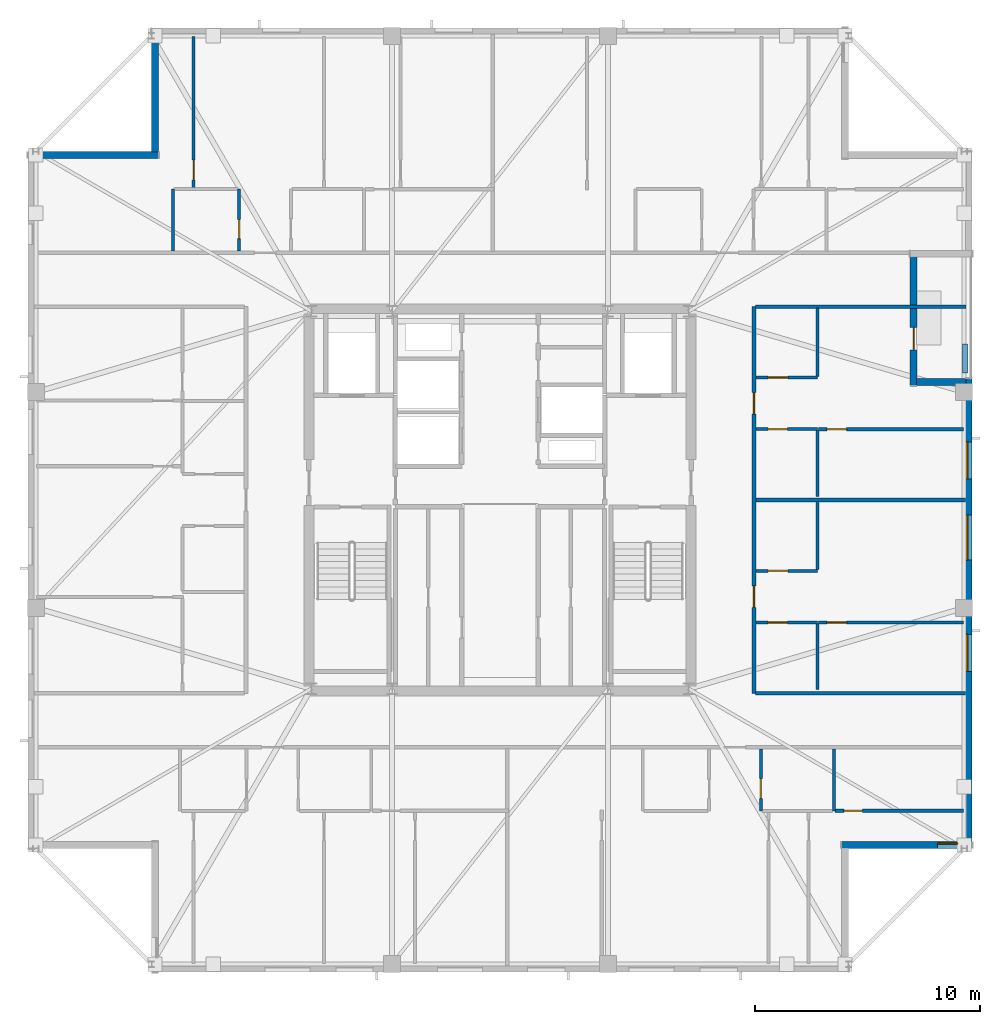
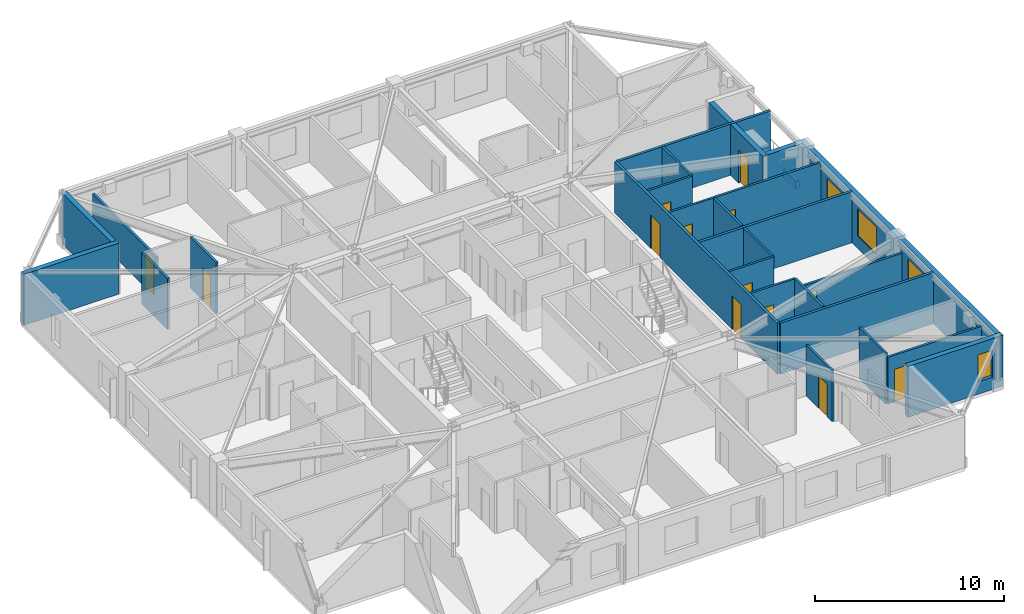
# One storey, part 10 of 16: 27 walls, 13 doors, 4 windows, 17 openings.
"""IFC4 building model written with IfcOpenShell, lengths in metres."""

from ifc_helpers import new_model, si_unit, direction, frame, frame_2d, origin, place, context, subcontext, project, spatial, rectangle, extrude, material, layer, layer_set, type_object, element, fill, save


model = new_model("IFC4")

# Units and contexts
model_context = context("Model", 3, precision=1e-05, world=origin(), true_north=direction((0.0, 1.0)))
body_context = subcontext(model_context, "Body", "Model", "MODEL_VIEW")
ifc_project = project(units=[si_unit("LENGTHUNIT", "METRE"), si_unit("AREAUNIT", "SQUARE_METRE"), si_unit("VOLUMEUNIT", "CUBIC_METRE"), si_unit("PLANEANGLEUNIT", "RADIAN"), si_unit("MASSUNIT", "GRAM", prefix="KILO")], contexts=[model_context])

# Site, building, storey
site_placement = place(None, origin())
site = spatial("IfcSite", under=ifc_project, at=site_placement, CompositionType="ELEMENT")
building_placement = place(site_placement, origin())
building = spatial("IfcBuilding", under=site, at=building_placement, Name="Cairnveth Concourse Tower", CompositionType="ELEMENT")
storey_placement = place(building_placement, frame((0.0, 0.0, 312.0)))
storey = spatial("IfcBuildingStorey", under=building, at=storey_placement, Name="L86", CompositionType="ELEMENT", Elevation=312.0)

# Wall, openings, doors
ifc_material_1 = material(Name="Gypsum Plasterboard Partition", Category="gypsum")
ifc_layer_1 = layer(ifc_material_1, 0.159912109375)
ifc_layer_set_1 = layer_set([ifc_layer_1], Name="Gypsum Plasterboard Partition")
wall_type_1 = type_object("IfcWallType", Name="ACOUSTIC PARTY WALL 180", PredefinedType="PARTITIONING", material=ifc_layer_set_1)
wall_1_placement = place(storey_placement, frame((63.300048828125, 30.39990234375, 0.0), z_axis=(0.0, 0.0, 1.0), x_axis=(0.0, 1.0, 0.0)))
wall_1 = element("IfcWall", 1, at=wall_1_placement, inside=storey, type_object=wall_type_1, Name="Interior Wall IW-L86-039", PredefinedType="PARTITIONING", context=body_context, shape_type="SweptSolid", body=[
    extrude(rectangle(XDim=17.2001953125, YDim=0.159912109375, at=frame_2d((8.60009765625, 0.0))), origin(), (0.0, 0.0, 1.0), 3.2900390625),
])
opening_1_placement = place(wall_1_placement, frame((3.820068359375, 0.0, 0.0)))
opening_1 = element("IfcOpeningElement", 2, at=opening_1_placement, cuts=wall_1, Name="Opening ID10", PredefinedType="OPENING", context=body_context, shape_type="SweptSolid", body=[
    extrude(rectangle(XDim=0.9599609375, YDim=2.179931640625, at=frame_2d((0.47998046875, 1.08984375))), frame((0.0, 0.08984375, 0.0), z_axis=(0.0, -1.0, 0.0), x_axis=(1.0, 0.0, 0.0)), (0.0, 0.0, 1.0), 0.179931640625),
])
opening_2_placement = place(wall_1_placement, frame((12.419921875, 0.0, 0.0)))
opening_2 = element("IfcOpeningElement", 3, at=opening_2_placement, cuts=wall_1, Name="Opening ID10", PredefinedType="OPENING", context=body_context, shape_type="SweptSolid", body=[
    extrude(rectangle(XDim=0.9599609375, YDim=2.179931640625, at=frame_2d((0.47998046875, 1.08984375))), frame((0.0, 0.08984375, 0.0), z_axis=(0.0, -1.0, 0.0), x_axis=(1.0, 0.0, 0.0)), (0.0, 0.0, 1.0), 0.179931640625),
])
ifc_material_2 = material(Name="Solid Core Hardwood Timber Leaf", Category="wood")
door_type_1 = type_object("IfcDoorType", Name="FLAT ENTRANCE DOOR 960X2150", OperationType="NOTDEFINED", PredefinedType="DOOR", material=ifc_material_2)
door_1_placement = place(opening_1_placement, origin())
door_1 = element("IfcDoor", 4, at=door_1_placement, inside=storey, type_object=door_type_1, Name="Penthouse L86PE1 Entrance Door", OperationType="SINGLE_SWING_LEFT", OverallHeight=2.179931640625, OverallWidth=0.9599609375, PredefinedType="DOOR", context=body_context, shape_type="SweptSolid", body=[
    extrude(rectangle(XDim=0.9599609375, YDim=2.179931640625, at=frame_2d((0.47998046875, 1.08984375))), frame((0.0, 0.02490234375, 0.0), z_axis=(0.0, -1.0, 0.0), x_axis=(1.0, 0.0, 0.0)), (0.0, 0.0, 1.0), 0.050048828125),
])
fill(opening_1, door_1)
door_2_placement = place(opening_2_placement, origin())
door_2 = element("IfcDoor", 5, at=door_2_placement, inside=storey, type_object=door_type_1, Name="Penthouse L86PE2 Entrance Door", OperationType="SINGLE_SWING_LEFT", OverallHeight=2.179931640625, OverallWidth=0.9599609375, PredefinedType="DOOR", context=body_context, shape_type="SweptSolid", body=[
    extrude(rectangle(XDim=0.9599609375, YDim=2.179931640625, at=frame_2d((0.47998046875, 1.08984375))), frame((0.0, 0.02490234375, 0.0), z_axis=(0.0, -1.0, 0.0), x_axis=(1.0, 0.0, 0.0)), (0.0, 0.0, 1.0), 0.050048828125),
])
fill(opening_2, door_2)

# Walls
wall_2_placement = place(storey_placement, frame((63.364990234375, 30.39990234375, 0.0), z_axis=(0.0, 0.0, 1.0), x_axis=(1.0, 0.0, 0.0)))
element("IfcWall", 6, at=wall_2_placement, inside=storey, type_object=wall_type_1, Name="Interior Wall IW-L86-042", PredefinedType="PARTITIONING", context=body_context, shape_type="SweptSolid", body=[
    extrude(rectangle(XDim=9.35009765625, YDim=0.159912109375, at=frame_2d((4.675048828125, 0.0))), origin(), (0.0, 0.0, 1.0), 3.2900390625),
])
wall_3_placement = place(storey_placement, frame((63.364990234375, 47.60009765625, 0.0), z_axis=(0.0, 0.0, 1.0), x_axis=(1.0, 0.0, 0.0)))
element("IfcWall", 7, at=wall_3_placement, inside=storey, type_object=wall_type_1, Name="Interior Wall IW-L86-043", PredefinedType="PARTITIONING", context=body_context, shape_type="SweptSolid", body=[
    extrude(rectangle(XDim=9.364990234375, YDim=0.159912109375, at=frame_2d((4.6826171875, 0.0))), origin(), (0.0, 0.0, 1.0), 3.2900390625),
])
wall_4_placement = place(storey_placement, frame((63.3798828125, 39.0, 0.0), z_axis=(0.0, 0.0, 1.0), x_axis=(1.0, 0.0, 0.0)))
element("IfcWall", 8, at=wall_4_placement, inside=storey, type_object=wall_type_1, Name="Interior Wall IW-L86-097", PredefinedType="PARTITIONING", context=body_context, shape_type="SweptSolid", body=[
    extrude(rectangle(XDim=9.335205078125, YDim=0.159912109375, at=frame_2d((4.66748046875, 0.0))), origin(), (0.0, 0.0, 1.0), 3.2900390625),
])

# Wall, opening, door
ifc_layer_2 = layer(ifc_material_1, 0.139892578125)
ifc_layer_set_2 = layer_set([ifc_layer_2], Name="Gypsum Plasterboard Partition")
wall_type_2 = type_object("IfcWallType", Name="GYPSUM STUD PARTITION 140", PredefinedType="PARTITIONING", material=ifc_layer_set_2)
wall_5_placement = place(storey_placement, frame((66.902587890625, 25.172607421875, 0.0), z_axis=(0.0, 0.0, 1.0), x_axis=(1.0, 0.0, 0.0)))
wall_5 = element("IfcWall", 9, at=wall_5_placement, inside=storey, type_object=wall_type_2, Name="Interior Wall IW-L86-063", PredefinedType="PARTITIONING", context=body_context, shape_type="SweptSolid", body=[
    extrude(rectangle(XDim=5.727294921875, YDim=0.139892578125, at=frame_2d((2.86376953125, 0.0))), origin(), (0.0, 0.0, 1.0), 3.009033203125),
])
opening_3_placement = place(wall_5_placement, frame((0.39990234375, 0.0, 0.0)))
opening_3 = element("IfcOpeningElement", 10, at=opening_3_placement, cuts=wall_5, Name="Opening ID22", PredefinedType="OPENING", context=body_context, shape_type="SweptSolid", body=[
    extrude(rectangle(XDim=0.820068359375, YDim=2.10009765625, at=frame_2d((0.41015625, 1.050048828125))), frame((0.0, 0.079833984375, 0.0), z_axis=(0.0, -1.0, 0.0), x_axis=(1.0, 0.0, 0.0)), (0.0, 0.0, 1.0), 0.159912109375),
])
door_type_2 = type_object("IfcDoorType", Name="INTERIOR WC DOOR 820X2100", OperationType="NOTDEFINED", PredefinedType="DOOR", material=ifc_material_2)
door_3_placement = place(opening_3_placement, origin())
door_3 = element("IfcDoor", 11, at=door_3_placement, inside=storey, type_object=door_type_2, Name="L86PS2 Utility Door", OperationType="SINGLE_SWING_RIGHT", OverallHeight=2.10009765625, OverallWidth=0.820068359375, PredefinedType="DOOR", context=body_context, shape_type="SweptSolid", body=[
    extrude(rectangle(XDim=0.820068359375, YDim=2.10009765625, at=frame_2d((0.41015625, 1.050048828125))), frame((0.0, 0.02490234375, 0.0), z_axis=(0.0, -1.0, 0.0), x_axis=(1.0, 0.0, 0.0)), (0.0, 0.0, 1.0), 0.050048828125),
])
fill(opening_3, door_3)

wall_6_placement = place(storey_placement, frame((38.3701171875, 52.87744140625, 0.0), z_axis=(0.0, 0.0, 1.0), x_axis=(0.0, 1.0, 0.0)))
wall_6 = element("IfcWall", 12, at=wall_6_placement, inside=storey, type_object=wall_type_2, Name="Interior Wall IW-L86-071", PredefinedType="PARTITIONING", context=body_context, shape_type="SweptSolid", body=[
    extrude(rectangle(XDim=6.74267578125, YDim=0.139892578125, at=frame_2d((3.371337890625, 0.0))), origin(), (0.0, 0.0, 1.0), 2.653076171875),
])
opening_4_placement = place(wall_6_placement, frame((0.360107421875, 0.0, 0.0)))
opening_4 = element("IfcOpeningElement", 13, at=opening_4_placement, cuts=wall_6, Name="Opening ID18", PredefinedType="OPENING", context=body_context, shape_type="SweptSolid", body=[
    extrude(rectangle(XDim=0.8798828125, YDim=2.10009765625, at=frame_2d((0.43994140625, 1.050048828125))), frame((0.0, 0.079833984375, 0.0), z_axis=(0.0, -1.0, 0.0), x_axis=(1.0, 0.0, 0.0)), (0.0, 0.0, 1.0), 0.159912109375),
])
door_type_3 = type_object("IfcDoorType", Name="INTERIOR SINGLE DOOR 880X2100", OperationType="NOTDEFINED", PredefinedType="DOOR", material=ifc_material_2)
door_4_placement = place(opening_4_placement, origin())
door_4 = element("IfcDoor", 14, at=door_4_placement, inside=storey, type_object=door_type_3, Name="L86PN1 Master Bedroom Door", OperationType="SINGLE_SWING_RIGHT", OverallHeight=2.10009765625, OverallWidth=0.8798828125, PredefinedType="DOOR", context=body_context, shape_type="SweptSolid", body=[
    extrude(rectangle(XDim=0.8798828125, YDim=2.10009765625, at=frame_2d((0.43994140625, 1.050048828125))), frame((0.0, 0.02490234375, 0.0), z_axis=(0.0, -1.0, 0.0), x_axis=(1.0, 0.0, 0.0)), (0.0, 0.0, 1.0), 0.050048828125),
])
fill(opening_4, door_4)

wall_7_placement = place(storey_placement, frame((66.179931640625, 33.550048828125, 0.0), z_axis=(0.0, 0.0, 1.0), x_axis=(1.0, 0.0, 0.0)))
wall_7 = element("IfcWall", 15, at=wall_7_placement, inside=storey, type_object=wall_type_2, Name="Interior Wall IW-L86-102", PredefinedType="PARTITIONING", context=body_context, shape_type="SweptSolid", body=[
    extrude(rectangle(XDim=6.440185546875, YDim=0.139892578125, at=frame_2d((3.22021484375, 0.0))), origin(), (0.0, 0.0, 1.0), 2.653076171875),
])
opening_5_placement = place(wall_7_placement, frame((0.360107421875, 0.0, 0.0)))
opening_5 = element("IfcOpeningElement", 16, at=opening_5_placement, cuts=wall_7, Name="Opening ID18", PredefinedType="OPENING", context=body_context, shape_type="SweptSolid", body=[
    extrude(rectangle(XDim=0.8798828125, YDim=2.10009765625, at=frame_2d((0.43994140625, 1.050048828125))), frame((0.0, 0.079833984375, 0.0), z_axis=(0.0, -1.0, 0.0), x_axis=(1.0, 0.0, 0.0)), (0.0, 0.0, 1.0), 0.159912109375),
])
door_5_placement = place(opening_5_placement, origin())
door_5 = element("IfcDoor", 17, at=door_5_placement, inside=storey, type_object=door_type_3, Name="L86PE1 Master Bedroom Door", OperationType="SINGLE_SWING_RIGHT", OverallHeight=2.10009765625, OverallWidth=0.8798828125, PredefinedType="DOOR", context=body_context, shape_type="SweptSolid", body=[
    extrude(rectangle(XDim=0.8798828125, YDim=2.10009765625, at=frame_2d((0.43994140625, 1.050048828125))), frame((0.0, 0.02490234375, 0.0), z_axis=(0.0, -1.0, 0.0), x_axis=(1.0, 0.0, 0.0)), (0.0, 0.0, 1.0), 0.050048828125),
])
fill(opening_5, door_5)

wall_8_placement = place(storey_placement, frame((66.179931640625, 42.14990234375, 0.0), z_axis=(0.0, 0.0, 1.0), x_axis=(1.0, 0.0, 0.0)))
wall_8 = element("IfcWall", 18, at=wall_8_placement, inside=storey, type_object=wall_type_2, Name="Interior Wall IW-L86-107", PredefinedType="PARTITIONING", context=body_context, shape_type="SweptSolid", body=[
    extrude(rectangle(XDim=6.440185546875, YDim=0.139892578125, at=frame_2d((3.22021484375, 0.0))), origin(), (0.0, 0.0, 1.0), 3.2900390625),
])
opening_6_placement = place(wall_8_placement, frame((0.360107421875, 0.0, 0.0)))
opening_6 = element("IfcOpeningElement", 19, at=opening_6_placement, cuts=wall_8, Name="Opening ID18", PredefinedType="OPENING", context=body_context, shape_type="SweptSolid", body=[
    extrude(rectangle(XDim=0.8798828125, YDim=2.10009765625, at=frame_2d((0.43994140625, 1.050048828125))), frame((0.0, 0.079833984375, 0.0), z_axis=(0.0, -1.0, 0.0), x_axis=(1.0, 0.0, 0.0)), (0.0, 0.0, 1.0), 0.159912109375),
])
door_6_placement = place(opening_6_placement, origin())
door_6 = element("IfcDoor", 20, at=door_6_placement, inside=storey, type_object=door_type_3, Name="L86PE2 Master Bedroom Door", OperationType="SINGLE_SWING_RIGHT", OverallHeight=2.10009765625, OverallWidth=0.8798828125, PredefinedType="DOOR", context=body_context, shape_type="SweptSolid", body=[
    extrude(rectangle(XDim=0.8798828125, YDim=2.10009765625, at=frame_2d((0.43994140625, 1.050048828125))), frame((0.0, 0.02490234375, 0.0), z_axis=(0.0, -1.0, 0.0), x_axis=(1.0, 0.0, 0.0)), (0.0, 0.0, 1.0), 0.050048828125),
])
fill(opening_6, door_6)

# Walls
ifc_material_3 = material(Name="Dressed Melbourne Bluestone Cladding", Category="masonry")
ifc_layer_3 = layer(ifc_material_3, 0.219970703125)
ifc_layer_set_3 = layer_set([ifc_layer_3], Name="Dressed Melbourne Bluestone Cladding")
wall_type_3 = type_object("IfcWallType", Name="TERRACE PLANTER CURB WALL 220", PredefinedType="PARAPET", material=ifc_layer_set_3)
wall_9_placement = place(storey_placement, frame((72.679931640625, 44.64990234375, 0.0), z_axis=(0.0, 0.0, 1.0), x_axis=(0.0, 1.0, 0.0)))
element("IfcWall", 21, at=wall_9_placement, inside=storey, type_object=wall_type_3, Name="Exterior Wall PLNT-L86-TERR", PredefinedType="PARAPET", context=body_context, shape_type="SweptSolid", body=[
    extrude(rectangle(XDim=1.300048828125, YDim=0.219970703125, at=frame_2d((0.64990234375, 0.0))), origin(), (0.0, 0.0, 1.0), 0.550048828125),
])
ifc_layer_4 = layer(ifc_material_1, 0.1298828125)
ifc_layer_set_4 = layer_set([ifc_layer_4], Name="Gypsum Plasterboard Partition")
wall_type_4 = type_object("IfcWallType", Name="WET AREA PARTITION 140", PredefinedType="PLUMBINGWALL", material=ifc_layer_set_4)
wall_10_placement = place(storey_placement, frame((66.8525390625, 25.172607421875, 0.0), z_axis=(0.0, 0.0, 1.0), x_axis=(0.0, 1.0, 0.0)))
element("IfcWall", 22, at=wall_10_placement, inside=storey, type_object=wall_type_4, Name="Interior Wall IW-L86-058", PredefinedType="PLUMBINGWALL", context=body_context, shape_type="SweptSolid", body=[
    extrude(rectangle(XDim=2.75, YDim=0.1298828125, at=frame_2d((1.375, 0.0))), origin(), (0.0, 0.0, 1.0), 3.2900390625),
])

# Wall, opening, door
wall_11_placement = place(storey_placement, frame((63.6025390625, 25.172607421875, 0.0), z_axis=(0.0, 0.0, 1.0), x_axis=(0.0, 1.0, 0.0)))
wall_11 = element("IfcWall", 23, at=wall_11_placement, inside=storey, type_object=wall_type_4, Name="Interior Wall IW-L86-059", PredefinedType="PLUMBINGWALL", context=body_context, shape_type="SweptSolid", body=[
    extrude(rectangle(XDim=2.75, YDim=0.1298828125, at=frame_2d((1.375, 0.0))), origin(), (0.0, 0.0, 1.0), 3.2900390625),
])
opening_7_placement = place(wall_11_placement, frame((0.550048828125, 0.0, 0.0)))
opening_7 = element("IfcOpeningElement", 24, at=opening_7_placement, cuts=wall_11, Name="Opening ID18", PredefinedType="OPENING", context=body_context, shape_type="SweptSolid", body=[
    extrude(rectangle(XDim=0.8798828125, YDim=2.10009765625, at=frame_2d((0.43994140625, 1.050048828125))), frame((0.0, 0.074951171875, 0.0), z_axis=(0.0, -1.0, 0.0), x_axis=(1.0, 0.0, 0.0)), (0.0, 0.0, 1.0), 0.14990234375),
])
door_7_placement = place(opening_7_placement, origin())
door_7 = element("IfcDoor", 25, at=door_7_placement, inside=storey, type_object=door_type_3, Name="L86PS2 Kitchen Door", OperationType="SINGLE_SWING_RIGHT", OverallHeight=2.10009765625, OverallWidth=0.8798828125, PredefinedType="DOOR", context=body_context, shape_type="SweptSolid", body=[
    extrude(rectangle(XDim=0.8798828125, YDim=2.10009765625, at=frame_2d((0.43994140625, 1.050048828125))), frame((0.0, 0.02490234375, 0.0), z_axis=(0.0, -1.0, 0.0), x_axis=(1.0, 0.0, 0.0)), (0.0, 0.0, 1.0), 0.050048828125),
])
fill(opening_7, door_7)

# Wall
wall_12_placement = place(storey_placement, frame((37.447509765625, 50.077392578125, 0.0), z_axis=(0.0, 0.0, 1.0), x_axis=(0.0, 1.0, 0.0)))
element("IfcWall", 26, at=wall_12_placement, inside=storey, type_object=wall_type_4, Name="Interior Wall IW-L86-065", PredefinedType="PLUMBINGWALL", context=body_context, shape_type="SweptSolid", body=[
    extrude(rectangle(XDim=2.75, YDim=0.1298828125, at=frame_2d((1.375, 0.0))), origin(), (0.0, 0.0, 1.0), 3.2900390625),
])

# Wall, opening, door
wall_13_placement = place(storey_placement, frame((40.3974609375, 50.077392578125, 0.0), z_axis=(0.0, 0.0, 1.0), x_axis=(0.0, 1.0, 0.0)))
wall_13 = element("IfcWall", 27, at=wall_13_placement, inside=storey, type_object=wall_type_4, Name="Interior Wall IW-L86-066", PredefinedType="PLUMBINGWALL", context=body_context, shape_type="SweptSolid", body=[
    extrude(rectangle(XDim=2.75, YDim=0.1298828125, at=frame_2d((1.375, 0.0))), origin(), (0.0, 0.0, 1.0), 3.2900390625),
])
opening_8_placement = place(wall_13_placement, frame((0.550048828125, 0.0, 0.0)))
opening_8 = element("IfcOpeningElement", 28, at=opening_8_placement, cuts=wall_13, Name="Opening ID21", PredefinedType="OPENING", context=body_context, shape_type="SweptSolid", body=[
    extrude(rectangle(XDim=0.85009765625, YDim=2.080078125, at=frame_2d((0.425048828125, 1.0400390625))), frame((0.0, 0.074951171875, 0.0), z_axis=(0.0, -1.0, 0.0), x_axis=(1.0, 0.0, 0.0)), (0.0, 0.0, 1.0), 0.14990234375),
])
door_type_4 = type_object("IfcDoorType", Name="INTERIOR WC DOOR 850X2100", OperationType="NOTDEFINED", PredefinedType="DOOR", material=ifc_material_2)
door_8_placement = place(opening_8_placement, origin())
door_8 = element("IfcDoor", 29, at=door_8_placement, inside=storey, type_object=door_type_4, Name="L86PN1 Bathroom Door", OperationType="SINGLE_SWING_RIGHT", OverallHeight=2.080078125, OverallWidth=0.85009765625, PredefinedType="DOOR", context=body_context, shape_type="SweptSolid", body=[
    extrude(rectangle(XDim=0.85009765625, YDim=2.080078125, at=frame_2d((0.425048828125, 1.0400390625))), frame((0.0, 0.02490234375, 0.0), z_axis=(0.0, -1.0, 0.0), x_axis=(1.0, 0.0, 0.0)), (0.0, 0.0, 1.0), 0.050048828125),
])
fill(opening_8, door_8)

wall_14_placement = place(storey_placement, frame((63.3798828125, 33.550048828125, 0.0), z_axis=(0.0, 0.0, 1.0), x_axis=(1.0, 0.0, 0.0)))
wall_14 = element("IfcWall", 30, at=wall_14_placement, inside=storey, type_object=wall_type_4, Name="Interior Wall IW-L86-098", PredefinedType="PLUMBINGWALL", context=body_context, shape_type="SweptSolid", body=[
    extrude(rectangle(XDim=2.75, YDim=0.1298828125, at=frame_2d((1.375, 0.0))), origin(), (0.0, 0.0, 1.0), 3.2900390625),
])
opening_9_placement = place(wall_14_placement, frame((0.550048828125, 0.0, 0.0)))
opening_9 = element("IfcOpeningElement", 31, at=opening_9_placement, cuts=wall_14, Name="Opening ID21", PredefinedType="OPENING", context=body_context, shape_type="SweptSolid", body=[
    extrude(rectangle(XDim=0.85009765625, YDim=2.080078125, at=frame_2d((0.425048828125, 1.0400390625))), frame((0.0, 0.074951171875, 0.0), z_axis=(0.0, -1.0, 0.0), x_axis=(1.0, 0.0, 0.0)), (0.0, 0.0, 1.0), 0.14990234375),
])
door_9_placement = place(opening_9_placement, origin())
door_9 = element("IfcDoor", 32, at=door_9_placement, inside=storey, type_object=door_type_4, Name="L86PE1 Bathroom Door", OperationType="SINGLE_SWING_RIGHT", OverallHeight=2.080078125, OverallWidth=0.85009765625, PredefinedType="DOOR", context=body_context, shape_type="SweptSolid", body=[
    extrude(rectangle(XDim=0.85009765625, YDim=2.080078125, at=frame_2d((0.425048828125, 1.0400390625))), frame((0.0, 0.02490234375, 0.0), z_axis=(0.0, -1.0, 0.0), x_axis=(1.0, 0.0, 0.0)), (0.0, 0.0, 1.0), 0.050048828125),
])
fill(opening_9, door_9)

# Wall
wall_15_placement = place(storey_placement, frame((66.1298828125, 30.56005859375, 0.0), z_axis=(0.0, 0.0, 1.0), x_axis=(0.0, 1.0, 0.0)))
element("IfcWall", 33, at=wall_15_placement, inside=storey, type_object=wall_type_4, Name="Interior Wall IW-L86-099", PredefinedType="PLUMBINGWALL", context=body_context, shape_type="SweptSolid", body=[
    extrude(rectangle(XDim=2.93994140625, YDim=0.1298828125, at=frame_2d((1.469970703125, 0.0))), origin(), (0.0, 0.0, 1.0), 3.2900390625),
])

# Wall, opening, door
wall_16_placement = place(storey_placement, frame((63.3798828125, 35.85009765625, 0.0), z_axis=(0.0, 0.0, 1.0), x_axis=(1.0, 0.0, 0.0)))
wall_16 = element("IfcWall", 34, at=wall_16_placement, inside=storey, type_object=wall_type_4, Name="Interior Wall IW-L86-100", PredefinedType="PLUMBINGWALL", context=body_context, shape_type="SweptSolid", body=[
    extrude(rectangle(XDim=2.75, YDim=0.1298828125, at=frame_2d((1.375, 0.0))), origin(), (0.0, 0.0, 1.0), 3.2900390625),
])
opening_10_placement = place(wall_16_placement, frame((0.550048828125, 0.0, 0.0)))
opening_10 = element("IfcOpeningElement", 35, at=opening_10_placement, cuts=wall_16, Name="Opening ID18", PredefinedType="OPENING", context=body_context, shape_type="SweptSolid", body=[
    extrude(rectangle(XDim=0.8798828125, YDim=2.10009765625, at=frame_2d((0.43994140625, 1.050048828125))), frame((0.0, 0.074951171875, 0.0), z_axis=(0.0, -1.0, 0.0), x_axis=(1.0, 0.0, 0.0)), (0.0, 0.0, 1.0), 0.14990234375),
])
door_10_placement = place(opening_10_placement, origin())
door_10 = element("IfcDoor", 36, at=door_10_placement, inside=storey, type_object=door_type_3, Name="L86PE1 Kitchen Door", OperationType="SINGLE_SWING_LEFT", OverallHeight=2.10009765625, OverallWidth=0.8798828125, PredefinedType="DOOR", context=body_context, shape_type="SweptSolid", body=[
    extrude(rectangle(XDim=0.8798828125, YDim=2.10009765625, at=frame_2d((0.43994140625, 1.050048828125))), frame((0.0, 0.02490234375, 0.0), z_axis=(0.0, -1.0, 0.0), x_axis=(1.0, 0.0, 0.0)), (0.0, 0.0, 1.0), 0.050048828125),
])
fill(opening_10, door_10)

# Wall
wall_17_placement = place(storey_placement, frame((66.1298828125, 35.89990234375, 0.0), z_axis=(0.0, 0.0, 1.0), x_axis=(0.0, 1.0, 0.0)))
element("IfcWall", 37, at=wall_17_placement, inside=storey, type_object=wall_type_4, Name="Interior Wall IW-L86-101", PredefinedType="PLUMBINGWALL", context=body_context, shape_type="SweptSolid", body=[
    extrude(rectangle(XDim=3.03515625, YDim=0.1298828125, at=frame_2d((1.517578125, 0.0))), origin(), (0.0, 0.0, 1.0), 3.2900390625),
])

# Wall, opening, door
wall_18_placement = place(storey_placement, frame((63.3798828125, 42.14990234375, 0.0), z_axis=(0.0, 0.0, 1.0), x_axis=(1.0, 0.0, 0.0)))
wall_18 = element("IfcWall", 38, at=wall_18_placement, inside=storey, type_object=wall_type_4, Name="Interior Wall IW-L86-103", PredefinedType="PLUMBINGWALL", context=body_context, shape_type="SweptSolid", body=[
    extrude(rectangle(XDim=2.75, YDim=0.1298828125, at=frame_2d((1.375, 0.0))), origin(), (0.0, 0.0, 1.0), 3.2900390625),
])
opening_11_placement = place(wall_18_placement, frame((0.550048828125, 0.0, 0.0)))
opening_11 = element("IfcOpeningElement", 39, at=opening_11_placement, cuts=wall_18, Name="Opening ID21", PredefinedType="OPENING", context=body_context, shape_type="SweptSolid", body=[
    extrude(rectangle(XDim=0.85009765625, YDim=2.080078125, at=frame_2d((0.425048828125, 1.0400390625))), frame((0.0, 0.074951171875, 0.0), z_axis=(0.0, -1.0, 0.0), x_axis=(1.0, 0.0, 0.0)), (0.0, 0.0, 1.0), 0.14990234375),
])
door_11_placement = place(opening_11_placement, origin())
door_11 = element("IfcDoor", 40, at=door_11_placement, inside=storey, type_object=door_type_4, Name="L86PE2 Bathroom Door", OperationType="SINGLE_SWING_RIGHT", OverallHeight=2.080078125, OverallWidth=0.85009765625, PredefinedType="DOOR", context=body_context, shape_type="SweptSolid", body=[
    extrude(rectangle(XDim=0.85009765625, YDim=2.080078125, at=frame_2d((0.425048828125, 1.0400390625))), frame((0.0, 0.02490234375, 0.0), z_axis=(0.0, -1.0, 0.0), x_axis=(1.0, 0.0, 0.0)), (0.0, 0.0, 1.0), 0.050048828125),
])
fill(opening_11, door_11)

# Wall
wall_19_placement = place(storey_placement, frame((66.1298828125, 39.159912109375, 0.0), z_axis=(0.0, 0.0, 1.0), x_axis=(0.0, 1.0, 0.0)))
element("IfcWall", 41, at=wall_19_placement, inside=storey, type_object=wall_type_4, Name="Interior Wall IW-L86-104", PredefinedType="PLUMBINGWALL", context=body_context, shape_type="SweptSolid", body=[
    extrude(rectangle(XDim=2.940185546875, YDim=0.1298828125, at=frame_2d((1.47021484375, 0.0))), origin(), (0.0, 0.0, 1.0), 3.2900390625),
])

# Wall, opening, door
wall_20_placement = place(storey_placement, frame((63.3798828125, 44.449951171875, 0.0), z_axis=(0.0, 0.0, 1.0), x_axis=(1.0, 0.0, 0.0)))
wall_20 = element("IfcWall", 42, at=wall_20_placement, inside=storey, type_object=wall_type_4, Name="Interior Wall IW-L86-105", PredefinedType="PLUMBINGWALL", context=body_context, shape_type="SweptSolid", body=[
    extrude(rectangle(XDim=2.75, YDim=0.1298828125, at=frame_2d((1.375, 0.0))), origin(), (0.0, 0.0, 1.0), 3.2900390625),
])
opening_12_placement = place(wall_20_placement, frame((0.550048828125, 0.0, 0.0)))
opening_12 = element("IfcOpeningElement", 43, at=opening_12_placement, cuts=wall_20, Name="Opening ID18", PredefinedType="OPENING", context=body_context, shape_type="SweptSolid", body=[
    extrude(rectangle(XDim=0.8798828125, YDim=2.10009765625, at=frame_2d((0.43994140625, 1.050048828125))), frame((0.0, 0.074951171875, 0.0), z_axis=(0.0, -1.0, 0.0), x_axis=(1.0, 0.0, 0.0)), (0.0, 0.0, 1.0), 0.14990234375),
])
door_12_placement = place(opening_12_placement, origin())
door_12 = element("IfcDoor", 44, at=door_12_placement, inside=storey, type_object=door_type_3, Name="L86PE2 Kitchen Door", OperationType="SINGLE_SWING_LEFT", OverallHeight=2.10009765625, OverallWidth=0.8798828125, PredefinedType="DOOR", context=body_context, shape_type="SweptSolid", body=[
    extrude(rectangle(XDim=0.8798828125, YDim=2.10009765625, at=frame_2d((0.43994140625, 1.050048828125))), frame((0.0, 0.02490234375, 0.0), z_axis=(0.0, -1.0, 0.0), x_axis=(1.0, 0.0, 0.0)), (0.0, 0.0, 1.0), 0.050048828125),
])
fill(opening_12, door_12)

# Wall
wall_21_placement = place(storey_placement, frame((66.1298828125, 44.5, 0.0), z_axis=(0.0, 0.0, 1.0), x_axis=(0.0, 1.0, 0.0)))
element("IfcWall", 45, at=wall_21_placement, inside=storey, type_object=wall_type_4, Name="Interior Wall IW-L86-106", PredefinedType="PLUMBINGWALL", context=body_context, shape_type="SweptSolid", body=[
    extrude(rectangle(XDim=3.034912109375, YDim=0.1298828125, at=frame_2d((1.517578125, 0.0))), origin(), (0.0, 0.0, 1.0), 3.2900390625),
])

# Wall, openings, windows
ifc_material_4 = material(Name="Hawthorn Red-Ochre Fired Clay Brick Masonry", Category="masonry")
ifc_layer_5 = layer(ifc_material_4, 0.300048828125)
ifc_layer_set_5 = layer_set([ifc_layer_5], Name="Hawthorn Red-Ochre Fired Clay Brick Masonry")
wall_type_5 = type_object("IfcWallType", Name="ZONE 4 BRICK PIER SPANDREL WALL 300", PredefinedType="SOLIDWALL", material=ifc_layer_set_5)
wall_22_placement = place(storey_placement, frame((72.85009765625, 44.39990234375, 0.0), z_axis=(0.0, 0.0, 1.0), x_axis=(0.0, -1.0, 0.0)))
wall_22 = element("IfcWall", 46, at=wall_22_placement, inside=storey, type_object=wall_type_5, Name="Exterior Wall EW-L86-S00", PredefinedType="SOLIDWALL", context=body_context, shape_type="SweptSolid", body=[
    extrude(rectangle(XDim=20.621826171875, YDim=0.300048828125, at=frame_2d((10.31103515625, 0.0))), origin(), (0.0, 0.0, 1.0), 3.2900390625),
])
opening_13_placement = place(wall_22_placement, frame((2.815185546875, 0.0, 0.800048828125)))
opening_13 = element("IfcOpeningElement", 47, at=opening_13_placement, cuts=wall_22, Name="Opening W04", PredefinedType="OPENING", context=body_context, shape_type="SweptSolid", body=[
    extrude(rectangle(XDim=1.64990234375, YDim=1.758056640625, at=frame_2d((0.824951171875, 0.87890625))), frame((0.0, 0.159912109375, 0.0), z_axis=(0.0, -1.0, 0.0), x_axis=(1.0, 0.0, 0.0)), (0.0, 0.0, 1.0), 0.320068359375),
])
opening_14_placement = place(wall_22_placement, frame((6.07080078125, 0.0, 0.800048828125)))
opening_14 = element("IfcOpeningElement", 48, at=opening_14_placement, cuts=wall_22, Name="Opening W09", PredefinedType="OPENING", context=body_context, shape_type="SweptSolid", body=[
    extrude(rectangle(XDim=2.0, YDim=1.758056640625, at=frame_2d((1.0, 0.87890625))), frame((0.0, 0.159912109375, 0.0), z_axis=(0.0, -1.0, 0.0), x_axis=(1.0, 0.0, 0.0)), (0.0, 0.0, 1.0), 0.320068359375),
])
opening_15_placement = place(wall_22_placement, frame((11.376220703125, 0.0, 0.800048828125)))
opening_15 = element("IfcOpeningElement", 49, at=opening_15_placement, cuts=wall_22, Name="Opening W04", PredefinedType="OPENING", context=body_context, shape_type="SweptSolid", body=[
    extrude(rectangle(XDim=1.64990234375, YDim=1.758056640625, at=frame_2d((0.824951171875, 0.87890625))), frame((0.0, 0.159912109375, 0.0), z_axis=(0.0, -1.0, 0.0), x_axis=(1.0, 0.0, 0.0)), (0.0, 0.0, 1.0), 0.320068359375),
])
ifc_material_5 = material(Name="Double Glazed Low-E Clear Glass", Category="glass")
window_type_1 = type_object("IfcWindowType", Name="DEEP-SET GOTHIC LANCET WINDOW 1650X1850", PartitioningType="DOUBLE_PANEL_VERTICAL", PredefinedType="WINDOW", material=ifc_material_5)
window_1_placement = place(opening_13_placement, origin())
window_1 = element("IfcWindow", 50, at=window_1_placement, inside=storey, type_object=window_type_1, Name="Gothic Lancet Window L86-0-1", OverallHeight=1.758056640625, OverallWidth=1.64990234375, PartitioningType="SINGLE_PANEL", PredefinedType="WINDOW", context=body_context, shape_type="SweptSolid", body=[
    extrude(rectangle(XDim=1.64990234375, YDim=1.758056640625, at=frame_2d((0.824951171875, 0.87890625))), frame((0.0, -0.050048828125, 0.0), z_axis=(0.0, -1.0, 0.0), x_axis=(1.0, 0.0, 0.0)), (0.0, 0.0, 1.0), 0.06005859375),
])
fill(opening_13, window_1)
window_2_placement = place(opening_15_placement, origin())
window_2 = element("IfcWindow", 51, at=window_2_placement, inside=storey, type_object=window_type_1, Name="Gothic Lancet Window L86-0-3", OverallHeight=1.758056640625, OverallWidth=1.64990234375, PartitioningType="SINGLE_PANEL", PredefinedType="WINDOW", context=body_context, shape_type="SweptSolid", body=[
    extrude(rectangle(XDim=1.64990234375, YDim=1.758056640625, at=frame_2d((0.824951171875, 0.87890625))), frame((0.0, -0.050048828125, 0.0), z_axis=(0.0, -1.0, 0.0), x_axis=(1.0, 0.0, 0.0)), (0.0, 0.0, 1.0), 0.06005859375),
])
fill(opening_15, window_2)
window_type_2 = type_object("IfcWindowType", Name="DEEP-SET PENTHOUSE LANCET WINDOW 2000X1850", PartitioningType="DOUBLE_PANEL_VERTICAL", PredefinedType="WINDOW", material=ifc_material_5)
window_3_placement = place(opening_14_placement, origin())
window_3 = element("IfcWindow", 52, at=window_3_placement, inside=storey, type_object=window_type_2, Name="Gothic Lancet Window L86-0-2", OverallHeight=1.758056640625, OverallWidth=2.0, PartitioningType="SINGLE_PANEL", PredefinedType="WINDOW", context=body_context, shape_type="SweptSolid", body=[
    extrude(rectangle(XDim=2.0, YDim=1.758056640625, at=frame_2d((1.0, 0.87890625))), frame((0.0, -0.050048828125, 0.0), z_axis=(0.0, -1.0, 0.0), x_axis=(1.0, 0.0, 0.0)), (0.0, 0.0, 1.0), 0.06005859375),
])
fill(opening_14, window_3)

# Wall, opening, window
wall_23_placement = place(storey_placement, frame((73.0, 23.64990234375, 0.0), z_axis=(0.0, 0.0, 1.0), x_axis=(-1.0, 0.0, 0.0)))
wall_23 = element("IfcWall", 53, at=wall_23_placement, inside=storey, type_object=wall_type_5, Name="Exterior Wall EW-L86-S01", PredefinedType="SOLIDWALL", context=body_context, shape_type="SweptSolid", body=[
    extrude(rectangle(XDim=5.800048828125, YDim=0.300048828125, at=frame_2d((2.89990234375, 0.0))), origin(), (0.0, 0.0, 1.0), 3.2900390625),
])
opening_16_placement = place(wall_23_placement, frame((0.6298828125, 0.0, 0.800048828125)))
opening_16 = element("IfcOpeningElement", 54, at=opening_16_placement, cuts=wall_23, Name="Opening W13", PredefinedType="OPENING", context=body_context, shape_type="SweptSolid", body=[
    extrude(rectangle(XDim=0.89990234375, YDim=1.75, at=frame_2d((0.449951171875, 0.875))), frame((0.0, 0.159912109375, 0.0), z_axis=(0.0, -1.0, 0.0), x_axis=(1.0, 0.0, 0.0)), (0.0, 0.0, 1.0), 0.320068359375),
])
window_type_3 = type_object("IfcWindowType", Name="DEEP-SET BEDROOM LANCET WINDOW 900X1750", PartitioningType="DOUBLE_PANEL_VERTICAL", PredefinedType="WINDOW", material=ifc_material_5)
window_4_placement = place(opening_16_placement, origin())
window_4 = element("IfcWindow", 55, at=window_4_placement, inside=storey, type_object=window_type_3, Name="Dwelling Lancet Window L86-DW2", OverallHeight=1.75, OverallWidth=0.89990234375, PartitioningType="SINGLE_PANEL", PredefinedType="WINDOW", context=body_context, shape_type="SweptSolid", body=[
    extrude(rectangle(XDim=0.89990234375, YDim=1.75, at=frame_2d((0.449951171875, 0.875))), frame((0.0, -0.0400390625, 0.0), z_axis=(0.0, -1.0, 0.0), x_axis=(1.0, 0.0, 0.0)), (0.0, 0.0, 1.0), 0.06005859375),
])
fill(opening_16, window_4)

# Walls
wall_24_placement = place(storey_placement, frame((31.0, 54.35009765625, 0.0), z_axis=(0.0, 0.0, 1.0), x_axis=(1.0, 0.0, 0.0)))
element("IfcWall", 56, at=wall_24_placement, inside=storey, type_object=wall_type_5, Name="Exterior Wall EW-L86-S07", PredefinedType="SOLIDWALL", context=body_context, shape_type="SweptSolid", body=[
    extrude(rectangle(XDim=5.800048828125, YDim=0.300048828125, at=frame_2d((2.89990234375, 0.0))), origin(), (0.0, 0.0, 1.0), 3.2900390625),
])
wall_25_placement = place(storey_placement, frame((36.64990234375, 54.47802734375, 0.0), z_axis=(0.0, 0.0, 1.0), x_axis=(0.0, 1.0, 0.0)))
element("IfcWall", 57, at=wall_25_placement, inside=storey, type_object=wall_type_5, Name="Exterior Wall EW-L86-S08", PredefinedType="SOLIDWALL", context=body_context, shape_type="SweptSolid", body=[
    extrude(rectangle(XDim=5.243896484375, YDim=0.300048828125, at=frame_2d((2.6220703125, 0.0))), origin(), (0.0, 0.0, 1.0), 3.2900390625),
])

# Wall, opening, door
wall_26_placement = place(storey_placement, frame((70.39990234375, 49.822021484375, 0.0), z_axis=(0.0, 0.0, 1.0), x_axis=(0.0, -1.0, 0.0)))
wall_26 = element("IfcWall", 58, at=wall_26_placement, inside=storey, type_object=wall_type_5, Name="Exterior Wall EW-L86-S14", PredefinedType="SOLIDWALL", context=body_context, shape_type="SweptSolid", body=[
    extrude(rectangle(XDim=5.721923828125, YDim=0.300048828125, at=frame_2d((2.86083984375, 0.0))), origin(), (0.0, 0.0, 1.0), 3.2900390625),
])
opening_17_placement = place(wall_26_placement, frame((3.14697265625, 0.0, 0.0)))
opening_17 = element("IfcOpeningElement", 59, at=opening_17_placement, cuts=wall_26, Name="Opening ED4", PredefinedType="OPENING", context=body_context, shape_type="SweptSolid", body=[
    extrude(rectangle(XDim=1.0, YDim=2.14990234375, at=frame_2d((0.5, 1.074951171875))), frame((0.0, 0.159912109375, 0.0), z_axis=(0.0, -1.0, 0.0), x_axis=(1.0, 0.0, 0.0)), (0.0, 0.0, 1.0), 0.320068359375),
])
ifc_material_6 = material(Name="Architectural Bronze Anodised Aluminium 6063-T6", Category="aluminium")
door_type_5 = type_object("IfcDoorType", Name="TERRACE GLAZED DOOR 1000X2150", OperationType="NOTDEFINED", PredefinedType="DOOR", material=ifc_material_6)
door_13_placement = place(opening_17_placement, origin())
door_13 = element("IfcDoor", 60, at=door_13_placement, inside=storey, type_object=door_type_5, Name="Spiral Terrace Door L86", OperationType="SINGLE_SWING_LEFT", OverallHeight=2.14990234375, OverallWidth=1.0, PredefinedType="DOOR", context=body_context, shape_type="SweptSolid", body=[
    extrude(rectangle(XDim=1.0, YDim=2.14990234375, at=frame_2d((0.5, 1.074951171875))), frame((0.0, 0.02490234375, 0.0), z_axis=(0.0, -1.0, 0.0), x_axis=(1.0, 0.0, 0.0)), (0.0, 0.0, 1.0), 0.050048828125),
])
fill(opening_17, door_13)

# Wall
wall_27_placement = place(storey_placement, frame((70.528076171875, 44.25, 0.0), z_axis=(0.0, 0.0, 1.0), x_axis=(1.0, 0.0, 0.0)))
element("IfcWall", 61, at=wall_27_placement, inside=storey, type_object=wall_type_5, Name="Exterior Wall EW-L86-S15", PredefinedType="SOLIDWALL", context=body_context, shape_type="SweptSolid", body=[
    extrude(rectangle(XDim=2.19384765625, YDim=0.300048828125, at=frame_2d((1.096923828125, 0.0))), origin(), (0.0, 0.0, 1.0), 3.2900390625),
])

save(model, "model.ifc")
